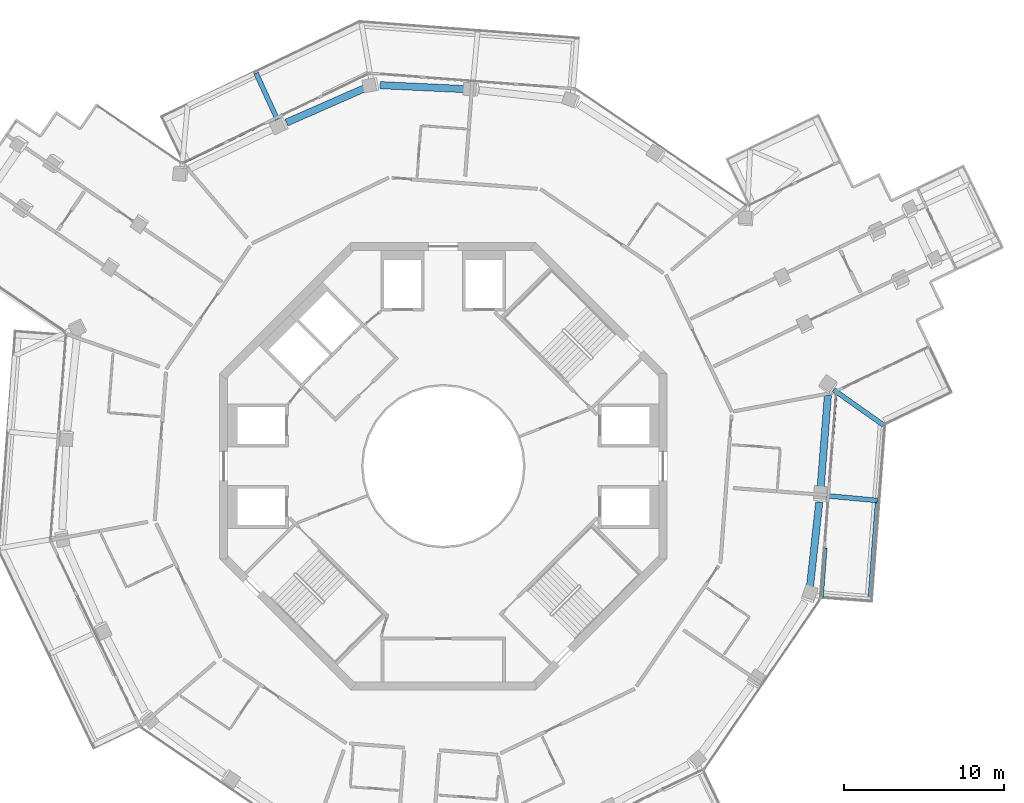
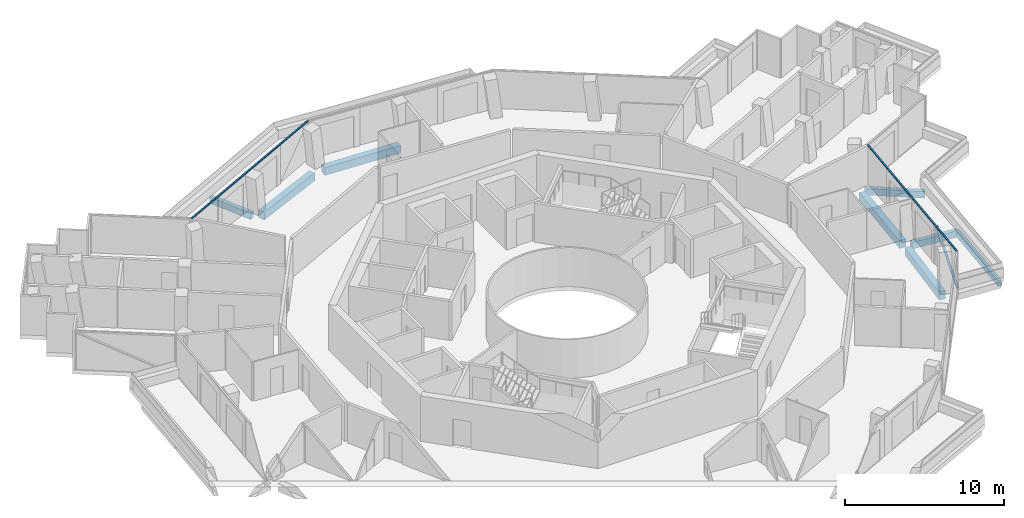
# One storey, part 7 of 23: 8 beams, 3 members, 2 elements without a shape of their own.
"""IFC4 building model written with IfcOpenShell, lengths in metres."""

from ifc_helpers import new_model, si_unit, direction, frame, origin, origin_2d, place, context, subcontext, project, spatial, rectangle, extrude, material, layer, layer_set, material_profile, profile_set, type_object, element, aggregate, save


model = new_model("IFC4")

# Units and contexts
model_context = context("Model", 3, precision=1e-05, world=origin(), true_north=direction((0.0, 1.0)))
body_context = subcontext(model_context, "Body", "Model", "MODEL_VIEW")
ifc_project = project(units=[si_unit("LENGTHUNIT", "METRE"), si_unit("AREAUNIT", "SQUARE_METRE"), si_unit("VOLUMEUNIT", "CUBIC_METRE"), si_unit("PLANEANGLEUNIT", "RADIAN"), si_unit("MASSUNIT", "GRAM", prefix="KILO")], contexts=[model_context])

# Site, building, storey
site_placement = place(None, origin())
site = spatial("IfcSite", under=ifc_project, at=site_placement, CompositionType="ELEMENT")
building_placement = place(site_placement, origin())
building = spatial("IfcBuilding", under=site, at=building_placement, Name="Verdalira Terraces Hotel", CompositionType="ELEMENT")
storey_placement = place(building_placement, frame((0.0, 0.0, 259.5)))
storey = spatial("IfcBuildingStorey", under=building, at=storey_placement, Name="L64", CompositionType="ELEMENT", Elevation=259.5)

# Beams
ifc_material_1 = material(Name="Concrete C40", Category="concrete")
ifc_material_profile_1 = material_profile(ifc_material_1, rectangle(XDim=0.300049, YDim=0.5, at=origin_2d()), Name="RC 300X500")
ifc_profile_set_1 = profile_set([ifc_material_profile_1], Name="Concrete C40")
beam_type_1 = type_object("IfcBeamType", Name="Balcony cantilever beam RC 300X500 C40", PredefinedType="BEAM", material=ifc_profile_set_1)
beam_1_placement = place(storey_placement, frame((23.986572, -1.854004, -0.560059), z_axis=(0.995759587, -0.091993723, 0.0), x_axis=(0.091993723, 0.995759587, 0.0)))
element("IfcBeam", 1, at=beam_1_placement, inside=storey, type_object=beam_type_1, Name="Balcony cantilever beam R27-2", PredefinedType="BEAM", context=body_context, shape_type="SweptSolid", body=[
    extrude(rectangle(XDim=0.300049, YDim=0.5, at=origin_2d()), origin(), (0.0, 0.0, 1.0), 3.200684),
])
beam_2_placement = place(storey_placement, frame((24.440674, 4.778076, -0.560059), z_axis=(0.816320821, -0.577598752, 0.0), x_axis=(0.577598752, 0.816320821, 0.0)))
element("IfcBeam", 2, at=beam_2_placement, inside=storey, type_object=beam_type_1, Name="Balcony cantilever beam R27-3", PredefinedType="BEAM", context=body_context, shape_type="SweptSolid", body=[
    extrude(rectangle(XDim=0.300049, YDim=0.5, at=origin_2d()), origin(), (0.0, 0.0, 1.0), 3.819824),
])
beam_3_placement = place(storey_placement, frame((-10.387695, 21.699951, -0.560059), z_axis=(-0.418211538, 0.908349663, 0.0), x_axis=(-0.908349663, -0.418211538, 0.0)))
element("IfcBeam", 3, at=beam_3_placement, inside=storey, type_object=beam_type_1, Name="Balcony cantilever beam R40-1", PredefinedType="BEAM", context=body_context, shape_type="SweptSolid", body=[
    extrude(rectangle(XDim=0.300049, YDim=0.5, at=origin_2d()), origin(), (0.0, 0.0, 1.0), 3.200928),
])
ifc_material_2 = material(Name="Concrete C40", Category="concrete")
ifc_material_profile_2 = material_profile(ifc_material_2, rectangle(XDim=0.25, YDim=0.449951, at=origin_2d()), Name="RC 250X450")
ifc_profile_set_2 = profile_set([ifc_material_profile_2], Name="Concrete C40")
beam_type_2 = type_object("IfcBeamType", Name="Balcony edge beam RC 250X450 C40", PredefinedType="BEAM", material=ifc_profile_set_2)
beam_4_placement = place(storey_placement, frame((26.704834, -8.355713, -0.534912), z_axis=(0.075301818, 0.997160788, 0.0), x_axis=(-0.997160788, 0.075301818, 0.0)))
element("IfcBeam", 4, at=beam_4_placement, inside=storey, type_object=beam_type_2, Name="Balcony edge beam R27-1", PredefinedType="BEAM", context=body_context, shape_type="SweptSolid", body=[
    extrude(rectangle(XDim=0.25, YDim=0.449951, at=origin_2d()), origin(), (0.0, 0.0, 1.0), 6.224854),
])

# Curtain wall, member
ifc_material_3 = material(Name="Clear glass", Category="glass")
ifc_layer = layer(ifc_material_3, 0.14990234375)
ifc_layer_set = layer_set([ifc_layer], Name="CW1 curtain wall")
curtain_wall_type = type_object("IfcCurtainWallType", Name="CW1 curtain wall", PredefinedType="NOTDEFINED", material=ifc_layer_set)
curtain_wall_1_placement = place(storey_placement, origin())
curtain_wall_1 = element("IfcCurtainWall", 5, at=curtain_wall_1_placement, inside=storey, type_object=curtain_wall_type, Name="CW1 curtain wall L64 edge 27", PredefinedType="NOTDEFINED")
ifc_material_4 = material(Name="Terracotta frame", Category="masonry")
ifc_material_profile_3 = material_profile(ifc_material_4, rectangle(XDim=0.110107, YDim=0.064941, at=origin_2d()), Name="TR 65x110")
ifc_profile_set_3 = profile_set([ifc_material_profile_3], Name="Terracotta frame")
member_type_1 = type_object("IfcMemberType", Name="CW1 transom 65x110", PredefinedType="USERDEFINED", material=ifc_profile_set_3)
member_1_placement = place(storey_placement, frame((23.62793, -8.263184, 2.967529), z_axis=(0.075333655, 0.997158383, 0.0), x_axis=(-0.997158383, 0.075333655, 0.0)))
member_1 = element("IfcMember", 6, at=member_1_placement, type_object=member_type_1, Name="CW1 transom", ObjectType="TRANSOM", PredefinedType="USERDEFINED", context=body_context, shape_type="SweptSolid", body=[
    extrude(rectangle(XDim=0.110107, YDim=0.064941, at=origin_2d()), origin(), (0.0, 0.0, 1.0), 12.959961),
])

curtain_wall_2_placement = place(storey_placement, origin())
curtain_wall_2 = element("IfcCurtainWall", 7, at=curtain_wall_2_placement, inside=storey, type_object=curtain_wall_type, Name="CW1 curtain wall L64 edge 41", PredefinedType="NOTDEFINED")
member_2_placement = place(storey_placement, frame((-4.657959, 24.593994, 2.967529), z_axis=(-0.901230354, -0.433340339, 0.0), x_axis=(0.433340339, -0.901230354, 0.0)))
member_2 = element("IfcMember", 8, at=member_2_placement, type_object=member_type_1, Name="CW1 transom", ObjectType="TRANSOM", PredefinedType="USERDEFINED", context=body_context, shape_type="SweptSolid", body=[
    extrude(rectangle(XDim=0.110107, YDim=0.064941, at=origin_2d()), origin(), (0.0, 0.0, 1.0), 12.959717),
])
aggregate(curtain_wall_2, [member_2])

# Member
ifc_material_5 = material(Name="Terracotta frame", Category="masonry")
ifc_material_profile_4 = material_profile(ifc_material_5, rectangle(XDim=0.149902, YDim=0.060059, at=origin_2d()), Name="GB 60x150")
ifc_profile_set_4 = profile_set([ifc_material_profile_4], Name="Terracotta frame")
member_type_2 = type_object("IfcMemberType", Name="Diagonal glazing bar 60x150", PredefinedType="USERDEFINED", material=ifc_profile_set_4)
member_3_placement = place(storey_placement, frame((23.723145, -8.185547, 0.023193), z_axis=(0.054679901, 0.72408741, 0.687537295), x_axis=(-0.997160834, 0.075301207, 0.0)))
member_3 = element("IfcMember", 9, at=member_3_placement, type_object=member_type_2, Name="Diagonal glazing bar", ObjectType="GLAZING BAR", PredefinedType="USERDEFINED", context=body_context, shape_type="SweptSolid", body=[
    extrude(rectangle(XDim=0.149902, YDim=0.060059, at=origin_2d()), origin(), (0.0, 0.0, 1.0), 4.201416),
])

aggregate(curtain_wall_1, [member_1, member_3])

# Beams
ifc_material_6 = material(Name="Concrete C40", Category="concrete")
ifc_material_profile_5 = material_profile(ifc_material_6, rectangle(XDim=0.449951, YDim=0.600098, at=origin_2d()), Name="RC 450X600")
ifc_profile_set_5 = profile_set([ifc_material_profile_5], Name="Concrete C40")
beam_type_3 = type_object("IfcBeamType", Name="Spandrel beam RC 450X600 C40", PredefinedType="SPANDREL", material=ifc_profile_set_5)
beam_5_placement = place(storey_placement, frame((22.94751, -7.619873, -0.610107), z_axis=(0.109880391, 0.993944817, 0.0), x_axis=(-0.993944817, 0.109880391, 0.0)))
element("IfcBeam", 10, at=beam_5_placement, inside=storey, type_object=beam_type_3, Name="Spandrel beam B15", PredefinedType="SPANDREL", context=body_context, shape_type="SweptSolid", body=[
    extrude(rectangle(XDim=0.449951, YDim=0.600098, at=origin_2d()), origin(), (0.0, 0.0, 1.0), 5.396973),
])
beam_6_placement = place(storey_placement, frame((23.617188, -1.446777, -0.610107), z_axis=(0.078226773, 0.996935591, 0.0), x_axis=(-0.996935591, 0.078226773, 0.0)))
element("IfcBeam", 11, at=beam_6_placement, inside=storey, type_object=beam_type_3, Name="Spandrel beam B16", PredefinedType="SPANDREL", context=body_context, shape_type="SweptSolid", body=[
    extrude(rectangle(XDim=0.449951, YDim=0.600098, at=origin_2d()), origin(), (0.0, 0.0, 1.0), 5.892334),
])
beam_7_placement = place(storey_placement, frame((1.433594, 23.604736, -0.610107), z_axis=(-0.998917153, 0.046524413, 0.0), x_axis=(-0.046524413, -0.998917153, 0.0)))
element("IfcBeam", 12, at=beam_7_placement, inside=storey, type_object=beam_type_3, Name="Spandrel beam B21", PredefinedType="SPANDREL", context=body_context, shape_type="SweptSolid", body=[
    extrude(rectangle(XDim=0.449951, YDim=0.600098, at=origin_2d()), origin(), (0.0, 0.0, 1.0), 5.394531),
])
beam_8_placement = place(storey_placement, frame((-4.874756, 23.683105, -0.610107), z_axis=(-0.915730106, -0.401793944, 0.0), x_axis=(0.401793944, -0.915730106, 0.0)))
element("IfcBeam", 13, at=beam_8_placement, inside=storey, type_object=beam_type_3, Name="Spandrel beam B22", PredefinedType="SPANDREL", context=body_context, shape_type="SweptSolid", body=[
    extrude(rectangle(XDim=0.449951, YDim=0.600098, at=origin_2d()), origin(), (0.0, 0.0, 1.0), 5.396973),
])

save(model, "model.ifc")
